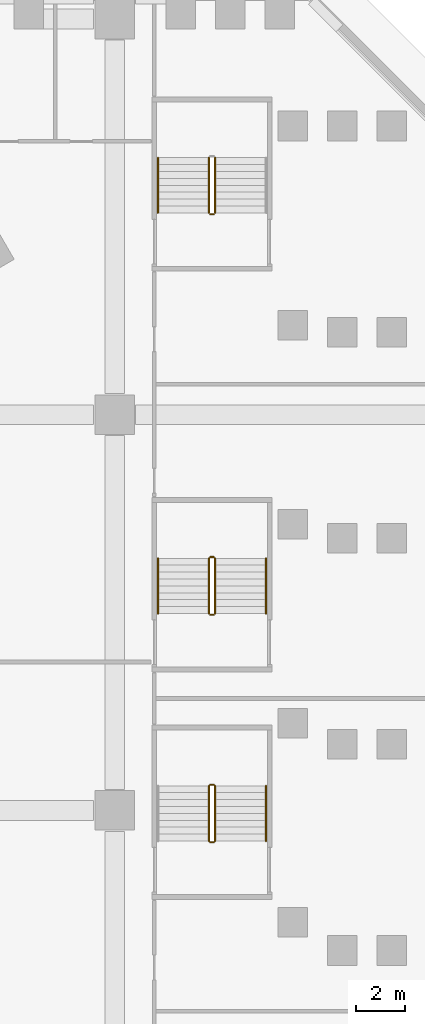
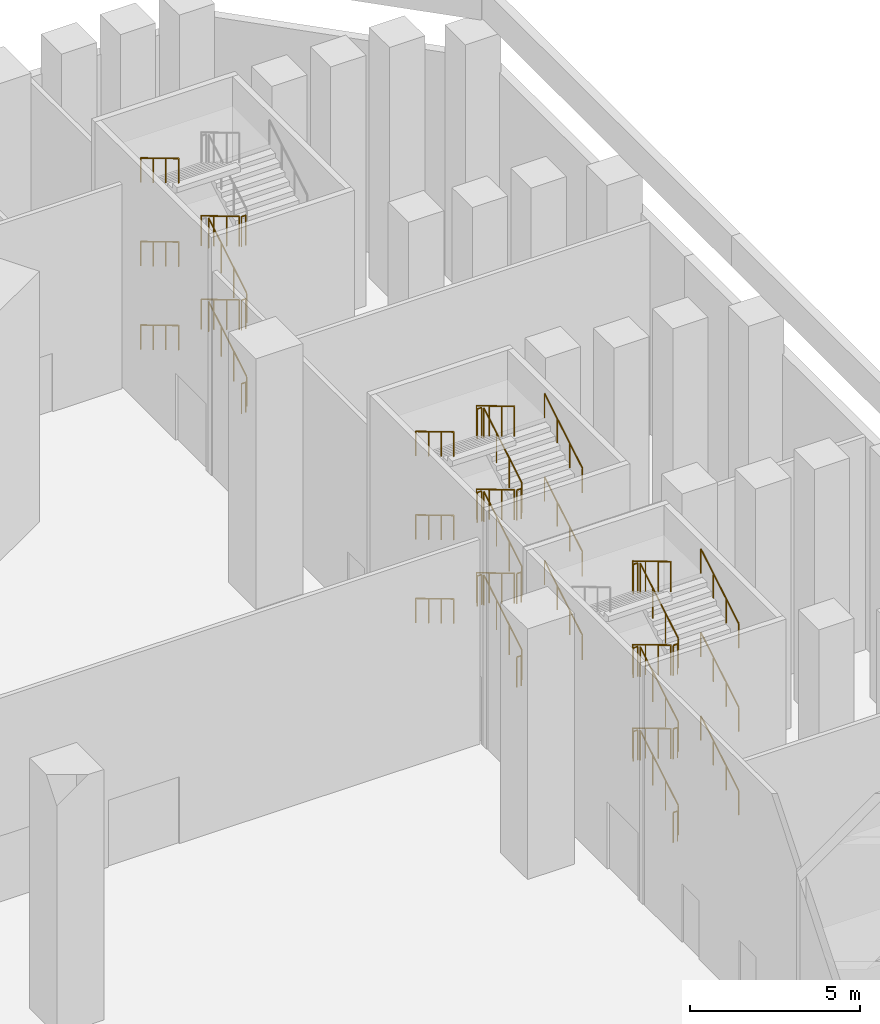
# One storey, part 22 of 25: 43 railings.
"""IFC4 building model written with IfcOpenShell, lengths in metres."""

from ifc_helpers import new_model, si_unit, direction, frame, origin, origin_2d, place, context, subcontext, project, spatial, circle, extrude, material, type_object, element, save


model = new_model("IFC4")

# Units and contexts
model_context = context("Model", 3, precision=1e-05, world=origin(), true_north=direction((0.0, 1.0)))
body_context = subcontext(model_context, "Body", "Model", "MODEL_VIEW")
ifc_project = project(units=[si_unit("LENGTHUNIT", "METRE"), si_unit("AREAUNIT", "SQUARE_METRE"), si_unit("VOLUMEUNIT", "CUBIC_METRE"), si_unit("PLANEANGLEUNIT", "RADIAN"), si_unit("MASSUNIT", "GRAM", prefix="KILO")], contexts=[model_context])

# Site, building, storey
site_placement = place(None, origin())
site = spatial("IfcSite", under=ifc_project, at=site_placement, CompositionType="ELEMENT")
building_placement = place(site_placement, origin())
building = spatial("IfcBuilding", under=site, at=building_placement, Name="Calabash Gate Tower", CompositionType="ELEMENT")
storey_placement = place(building_placement, frame((0.0, 0.0, 20.0)))
storey = spatial("IfcBuildingStorey", under=building, at=storey_placement, Name="L02", CompositionType="ELEMENT", Elevation=20.0)

# Railings
ifc_material_1 = material(Name="Black powder-coated steel balusters", Category="steel")
railing_type_1 = type_object("IfcRailingType", Name="Stair guard RL1100", PredefinedType="GUARDRAIL", material=ifc_material_1)
railing_1_placement = place(storey_placement, frame((36.06005859375, -9.239990234375, 0.166748046875)))
element("IfcRailing", 1, at=railing_1_placement, inside=storey, type_object=railing_type_1, Name="L02 PS8 stair guard 1", PredefinedType="GUARDRAIL", context=body_context, shape_type="SweptSolid", body=[
    extrude(circle(Radius=0.02392578125, at=origin_2d()), frame((0.0, 0.0, 1.076171875), z_axis=(0.0, 0.858493888361, 0.512823793955), x_axis=(-1.0, 0.0, 0.0)), (0.0, 0.0, 1.0), 2.599853515625),
    extrude(circle(Radius=0.02099609375, at=origin_2d()), origin(), (0.0, 0.0, 1.0), 1.052001953125),
    extrude(circle(Radius=0.02099609375, at=origin_2d()), frame((0.0, 0.743896484375, 0.4443359375)), (0.0, 0.0, 1.0), 1.052001953125),
    extrude(circle(Radius=0.02099609375, at=origin_2d()), frame((0.0, 1.488037109375, 0.888916015625)), (0.0, 0.0, 1.0), 1.052001953125),
    extrude(circle(Radius=0.02099609375, at=origin_2d()), frame((0.0, 2.23193359375, 1.333251953125)), (0.0, 0.0, 1.0), 1.052001953125),
])
railing_2_placement = place(storey_placement, frame((36.010009765625, -6.9580078125, 1.5)))
element("IfcRailing", 2, at=railing_2_placement, inside=storey, type_object=railing_type_1, Name="L02 PS8 stair guard 2", PredefinedType="GUARDRAIL", context=body_context, shape_type="SweptSolid", body=[
    extrude(circle(Radius=0.02392578125, at=origin_2d()), frame((0.0, 0.0, 1.076171875), z_axis=(-1.0, 0.0, 0.0), x_axis=(0.0, -1.0, 0.0)), (0.0, 0.0, 1.0), 0.14990234375),
    extrude(circle(Radius=0.02099609375, at=origin_2d()), origin(), (0.0, 0.0, 1.0), 1.052001953125),
    extrude(circle(Radius=0.02099609375, at=origin_2d()), frame((-0.14990234375, 0.0, 0.0)), (0.0, 0.0, 1.0), 1.052001953125),
])
railing_3_placement = place(storey_placement, frame((35.81005859375, -7.008056640625, 1.666748046875)))
element("IfcRailing", 3, at=railing_3_placement, inside=storey, type_object=railing_type_1, Name="L02 PS8 stair guard 3", PredefinedType="GUARDRAIL", context=body_context, shape_type="SweptSolid", body=[
    extrude(circle(Radius=0.02392578125, at=origin_2d()), frame((0.0, 0.0, 1.076171875), z_axis=(0.0, -0.858493888361, 0.512823793955), x_axis=(1.0, 0.0, 0.0)), (0.0, 0.0, 1.0), 2.599853515625),
    extrude(circle(Radius=0.02099609375, at=origin_2d()), origin(), (0.0, 0.0, 1.0), 1.052001953125),
    extrude(circle(Radius=0.02099609375, at=origin_2d()), frame((0.0, -0.743896484375, 0.4443359375)), (0.0, 0.0, 1.0), 1.052001953125),
    extrude(circle(Radius=0.02099609375, at=origin_2d()), frame((0.0, -1.488037109375, 0.888916015625)), (0.0, 0.0, 1.0), 1.052001953125),
    extrude(circle(Radius=0.02099609375, at=origin_2d()), frame((0.0, -2.23193359375, 1.333251953125)), (0.0, 0.0, 1.0), 1.052001953125),
])
railing_4_placement = place(storey_placement, frame((36.010009765625, -9.2900390625, 3.0)))
element("IfcRailing", 4, at=railing_4_placement, inside=storey, type_object=railing_type_1, Name="L02 PS8 stair guard 4", PredefinedType="GUARDRAIL", context=body_context, shape_type="SweptSolid", body=[
    extrude(circle(Radius=0.02392578125, at=origin_2d()), frame((0.0, 0.0, 1.076171875), z_axis=(-1.0, 0.0, 0.0), x_axis=(0.0, -1.0, 0.0)), (0.0, 0.0, 1.0), 0.14990234375),
    extrude(circle(Radius=0.02099609375, at=origin_2d()), origin(), (0.0, 0.0, 1.0), 1.052001953125),
    extrude(circle(Radius=0.02099609375, at=origin_2d()), frame((-0.14990234375, 0.0, 0.0)), (0.0, 0.0, 1.0), 1.052001953125),
])
railing_5_placement = place(storey_placement, frame((36.06005859375, -9.239990234375, 3.166748046875)))
element("IfcRailing", 5, at=railing_5_placement, inside=storey, type_object=railing_type_1, Name="L02 PS8 stair guard 5", PredefinedType="GUARDRAIL", context=body_context, shape_type="SweptSolid", body=[
    extrude(circle(Radius=0.02392578125, at=origin_2d()), frame((0.0, 0.0, 1.076171875), z_axis=(0.0, 0.858493888361, 0.512823793955), x_axis=(-1.0, 0.0, 0.0)), (0.0, 0.0, 1.0), 2.599853515625),
    extrude(circle(Radius=0.02099609375, at=origin_2d()), origin(), (0.0, 0.0, 1.0), 1.052001953125),
    extrude(circle(Radius=0.02099609375, at=origin_2d()), frame((0.0, 0.743896484375, 0.4443359375)), (0.0, 0.0, 1.0), 1.052001953125),
    extrude(circle(Radius=0.02099609375, at=origin_2d()), frame((0.0, 1.488037109375, 0.888916015625)), (0.0, 0.0, 1.0), 1.052001953125),
    extrude(circle(Radius=0.02099609375, at=origin_2d()), frame((0.0, 2.23193359375, 1.333251953125)), (0.0, 0.0, 1.0), 1.052001953125),
])
railing_6_placement = place(storey_placement, frame((36.010009765625, -6.9580078125, 4.5)))
element("IfcRailing", 6, at=railing_6_placement, inside=storey, type_object=railing_type_1, Name="L02 PS8 stair guard 6", PredefinedType="GUARDRAIL", context=body_context, shape_type="SweptSolid", body=[
    extrude(circle(Radius=0.02392578125, at=origin_2d()), frame((0.0, 0.0, 1.076171875), z_axis=(-1.0, 0.0, 0.0), x_axis=(0.0, -1.0, 0.0)), (0.0, 0.0, 1.0), 0.14990234375),
    extrude(circle(Radius=0.02099609375, at=origin_2d()), origin(), (0.0, 0.0, 1.0), 1.052001953125),
    extrude(circle(Radius=0.02099609375, at=origin_2d()), frame((-0.14990234375, 0.0, 0.0)), (0.0, 0.0, 1.0), 1.052001953125),
])
railing_7_placement = place(storey_placement, frame((35.81005859375, -7.008056640625, 4.666748046875)))
element("IfcRailing", 7, at=railing_7_placement, inside=storey, type_object=railing_type_1, Name="L02 PS8 stair guard 7", PredefinedType="GUARDRAIL", context=body_context, shape_type="SweptSolid", body=[
    extrude(circle(Radius=0.02392578125, at=origin_2d()), frame((0.0, 0.0, 1.076171875), z_axis=(0.0, -0.858493888361, 0.512823793955), x_axis=(1.0, 0.0, 0.0)), (0.0, 0.0, 1.0), 2.599853515625),
    extrude(circle(Radius=0.02099609375, at=origin_2d()), origin(), (0.0, 0.0, 1.0), 1.052001953125),
    extrude(circle(Radius=0.02099609375, at=origin_2d()), frame((0.0, -0.743896484375, 0.4443359375)), (0.0, 0.0, 1.0), 1.052001953125),
    extrude(circle(Radius=0.02099609375, at=origin_2d()), frame((0.0, -1.488037109375, 0.888916015625)), (0.0, 0.0, 1.0), 1.052001953125),
    extrude(circle(Radius=0.02099609375, at=origin_2d()), frame((0.0, -2.23193359375, 1.333251953125)), (0.0, 0.0, 1.0), 1.052001953125),
])
railing_8_placement = place(storey_placement, frame((36.010009765625, -9.2900390625, 6.0)))
element("IfcRailing", 8, at=railing_8_placement, inside=storey, type_object=railing_type_1, Name="L02 PS8 stair guard 8", PredefinedType="GUARDRAIL", context=body_context, shape_type="SweptSolid", body=[
    extrude(circle(Radius=0.02392578125, at=origin_2d()), frame((0.0, 0.0, 1.076171875), z_axis=(-1.0, 0.0, 0.0), x_axis=(0.0, -1.0, 0.0)), (0.0, 0.0, 1.0), 0.14990234375),
    extrude(circle(Radius=0.02099609375, at=origin_2d()), origin(), (0.0, 0.0, 1.0), 1.052001953125),
    extrude(circle(Radius=0.02099609375, at=origin_2d()), frame((-0.14990234375, 0.0, 0.0)), (0.0, 0.0, 1.0), 1.052001953125),
])
railing_9_placement = place(storey_placement, frame((36.06005859375, -9.239990234375, 6.166748046875)))
element("IfcRailing", 9, at=railing_9_placement, inside=storey, type_object=railing_type_1, Name="L02 PS8 stair guard 9", PredefinedType="GUARDRAIL", context=body_context, shape_type="SweptSolid", body=[
    extrude(circle(Radius=0.02392578125, at=origin_2d()), frame((0.0, 0.0, 1.076171875), z_axis=(0.0, 0.858493888361, 0.512823793955), x_axis=(-1.0, 0.0, 0.0)), (0.0, 0.0, 1.0), 2.599853515625),
    extrude(circle(Radius=0.02099609375, at=origin_2d()), origin(), (0.0, 0.0, 1.0), 1.052001953125),
    extrude(circle(Radius=0.02099609375, at=origin_2d()), frame((0.0, 0.743896484375, 0.4443359375)), (0.0, 0.0, 1.0), 1.052001953125),
    extrude(circle(Radius=0.02099609375, at=origin_2d()), frame((0.0, 1.488037109375, 0.888916015625)), (0.0, 0.0, 1.0), 1.052001953125),
    extrude(circle(Radius=0.02099609375, at=origin_2d()), frame((0.0, 2.23193359375, 1.333251953125)), (0.0, 0.0, 1.0), 1.052001953125),
])
railing_10_placement = place(storey_placement, frame((36.010009765625, -6.9580078125, 7.5)))
element("IfcRailing", 10, at=railing_10_placement, inside=storey, type_object=railing_type_1, Name="L02 PS8 stair guard 10", PredefinedType="GUARDRAIL", context=body_context, shape_type="SweptSolid", body=[
    extrude(circle(Radius=0.02392578125, at=origin_2d()), frame((0.0, 0.0, 1.076171875), z_axis=(-1.0, 0.0, 0.0), x_axis=(0.0, -1.0, 0.0)), (0.0, 0.0, 1.0), 0.14990234375),
    extrude(circle(Radius=0.02099609375, at=origin_2d()), origin(), (0.0, 0.0, 1.0), 1.052001953125),
    extrude(circle(Radius=0.02099609375, at=origin_2d()), frame((-0.14990234375, 0.0, 0.0)), (0.0, 0.0, 1.0), 1.052001953125),
])
railing_11_placement = place(storey_placement, frame((35.81005859375, -7.008056640625, 7.666748046875)))
element("IfcRailing", 11, at=railing_11_placement, inside=storey, type_object=railing_type_1, Name="L02 PS8 stair guard 11", PredefinedType="GUARDRAIL", context=body_context, shape_type="SweptSolid", body=[
    extrude(circle(Radius=0.02392578125, at=origin_2d()), frame((0.0, 0.0, 1.076171875), z_axis=(0.0, -0.858493888361, 0.512823793955), x_axis=(1.0, 0.0, 0.0)), (0.0, 0.0, 1.0), 2.599853515625),
    extrude(circle(Radius=0.02099609375, at=origin_2d()), origin(), (0.0, 0.0, 1.0), 1.052001953125),
    extrude(circle(Radius=0.02099609375, at=origin_2d()), frame((0.0, -0.743896484375, 0.4443359375)), (0.0, 0.0, 1.0), 1.052001953125),
    extrude(circle(Radius=0.02099609375, at=origin_2d()), frame((0.0, -1.488037109375, 0.888916015625)), (0.0, 0.0, 1.0), 1.052001953125),
    extrude(circle(Radius=0.02099609375, at=origin_2d()), frame((0.0, -2.23193359375, 1.333251953125)), (0.0, 0.0, 1.0), 1.052001953125),
])
railing_12_placement = place(storey_placement, frame((36.010009765625, -9.2900390625, 0.0)))
element("IfcRailing", 12, at=railing_12_placement, inside=storey, type_object=railing_type_1, Name="L02 PS8 stair guard 12", PredefinedType="GUARDRAIL", context=body_context, shape_type="SweptSolid", body=[
    extrude(circle(Radius=0.02392578125, at=origin_2d()), frame((0.0, 0.0, 1.076171875), z_axis=(-1.0, 0.0, 0.0), x_axis=(0.0, -1.0, 0.0)), (0.0, 0.0, 1.0), 0.14990234375),
    extrude(circle(Radius=0.02099609375, at=origin_2d()), origin(), (0.0, 0.0, 1.0), 1.052001953125),
    extrude(circle(Radius=0.02099609375, at=origin_2d()), frame((-0.14990234375, 0.0, 0.0)), (0.0, 0.0, 1.0), 1.052001953125),
])
railing_13_placement = place(storey_placement, frame((36.06005859375, -0.0400390625, 0.166748046875)))
element("IfcRailing", 13, at=railing_13_placement, inside=storey, type_object=railing_type_1, Name="L02 PS9 stair guard 1", PredefinedType="GUARDRAIL", context=body_context, shape_type="SweptSolid", body=[
    extrude(circle(Radius=0.02392578125, at=origin_2d()), frame((0.0, 0.0, 1.076171875), z_axis=(0.0, 0.858493888361, 0.512823793955), x_axis=(-1.0, 0.0, 0.0)), (0.0, 0.0, 1.0), 2.599853515625),
    extrude(circle(Radius=0.02099609375, at=origin_2d()), origin(), (0.0, 0.0, 1.0), 1.052001953125),
    extrude(circle(Radius=0.02099609375, at=origin_2d()), frame((0.0, 0.743896484375, 0.4443359375)), (0.0, 0.0, 1.0), 1.052001953125),
    extrude(circle(Radius=0.02099609375, at=origin_2d()), frame((0.0, 1.488037109375, 0.888916015625)), (0.0, 0.0, 1.0), 1.052001953125),
    extrude(circle(Radius=0.02099609375, at=origin_2d()), frame((0.0, 2.23193359375, 1.333251953125)), (0.0, 0.0, 1.0), 1.052001953125),
])
railing_14_placement = place(storey_placement, frame((36.010009765625, 2.241943359375, 1.5)))
element("IfcRailing", 14, at=railing_14_placement, inside=storey, type_object=railing_type_1, Name="L02 PS9 stair guard 2", PredefinedType="GUARDRAIL", context=body_context, shape_type="SweptSolid", body=[
    extrude(circle(Radius=0.02392578125, at=origin_2d()), frame((0.0, 0.0, 1.076171875), z_axis=(-1.0, 0.0, 0.0), x_axis=(0.0, -1.0, 0.0)), (0.0, 0.0, 1.0), 0.14990234375),
    extrude(circle(Radius=0.02099609375, at=origin_2d()), origin(), (0.0, 0.0, 1.0), 1.052001953125),
    extrude(circle(Radius=0.02099609375, at=origin_2d()), frame((-0.14990234375, 0.0, 0.0)), (0.0, 0.0, 1.0), 1.052001953125),
])
railing_15_placement = place(storey_placement, frame((35.81005859375, 2.19189453125, 1.666748046875)))
element("IfcRailing", 15, at=railing_15_placement, inside=storey, type_object=railing_type_1, Name="L02 PS9 stair guard 3", PredefinedType="GUARDRAIL", context=body_context, shape_type="SweptSolid", body=[
    extrude(circle(Radius=0.02392578125, at=origin_2d()), frame((0.0, 0.0, 1.076171875), z_axis=(0.0, -0.858493888361, 0.512823793955), x_axis=(1.0, 0.0, 0.0)), (0.0, 0.0, 1.0), 2.599853515625),
    extrude(circle(Radius=0.02099609375, at=origin_2d()), origin(), (0.0, 0.0, 1.0), 1.052001953125),
    extrude(circle(Radius=0.02099609375, at=origin_2d()), frame((0.0, -0.743896484375, 0.4443359375)), (0.0, 0.0, 1.0), 1.052001953125),
    extrude(circle(Radius=0.02099609375, at=origin_2d()), frame((0.0, -1.488037109375, 0.888916015625)), (0.0, 0.0, 1.0), 1.052001953125),
    extrude(circle(Radius=0.02099609375, at=origin_2d()), frame((0.0, -2.23193359375, 1.333251953125)), (0.0, 0.0, 1.0), 1.052001953125),
])
railing_16_placement = place(storey_placement, frame((36.010009765625, -0.090087890625, 3.0)))
element("IfcRailing", 16, at=railing_16_placement, inside=storey, type_object=railing_type_1, Name="L02 PS9 stair guard 4", PredefinedType="GUARDRAIL", context=body_context, shape_type="SweptSolid", body=[
    extrude(circle(Radius=0.02392578125, at=origin_2d()), frame((0.0, 0.0, 1.076171875), z_axis=(-1.0, 0.0, 0.0), x_axis=(0.0, -1.0, 0.0)), (0.0, 0.0, 1.0), 0.14990234375),
    extrude(circle(Radius=0.02099609375, at=origin_2d()), origin(), (0.0, 0.0, 1.0), 1.052001953125),
    extrude(circle(Radius=0.02099609375, at=origin_2d()), frame((-0.14990234375, 0.0, 0.0)), (0.0, 0.0, 1.0), 1.052001953125),
])
railing_17_placement = place(storey_placement, frame((36.06005859375, -0.0400390625, 3.166748046875)))
element("IfcRailing", 17, at=railing_17_placement, inside=storey, type_object=railing_type_1, Name="L02 PS9 stair guard 5", PredefinedType="GUARDRAIL", context=body_context, shape_type="SweptSolid", body=[
    extrude(circle(Radius=0.02392578125, at=origin_2d()), frame((0.0, 0.0, 1.076171875), z_axis=(0.0, 0.858493888361, 0.512823793955), x_axis=(-1.0, 0.0, 0.0)), (0.0, 0.0, 1.0), 2.599853515625),
    extrude(circle(Radius=0.02099609375, at=origin_2d()), origin(), (0.0, 0.0, 1.0), 1.052001953125),
    extrude(circle(Radius=0.02099609375, at=origin_2d()), frame((0.0, 0.743896484375, 0.4443359375)), (0.0, 0.0, 1.0), 1.052001953125),
    extrude(circle(Radius=0.02099609375, at=origin_2d()), frame((0.0, 1.488037109375, 0.888916015625)), (0.0, 0.0, 1.0), 1.052001953125),
    extrude(circle(Radius=0.02099609375, at=origin_2d()), frame((0.0, 2.23193359375, 1.333251953125)), (0.0, 0.0, 1.0), 1.052001953125),
])
railing_18_placement = place(storey_placement, frame((36.010009765625, 2.241943359375, 4.5)))
element("IfcRailing", 18, at=railing_18_placement, inside=storey, type_object=railing_type_1, Name="L02 PS9 stair guard 6", PredefinedType="GUARDRAIL", context=body_context, shape_type="SweptSolid", body=[
    extrude(circle(Radius=0.02392578125, at=origin_2d()), frame((0.0, 0.0, 1.076171875), z_axis=(-1.0, 0.0, 0.0), x_axis=(0.0, -1.0, 0.0)), (0.0, 0.0, 1.0), 0.14990234375),
    extrude(circle(Radius=0.02099609375, at=origin_2d()), origin(), (0.0, 0.0, 1.0), 1.052001953125),
    extrude(circle(Radius=0.02099609375, at=origin_2d()), frame((-0.14990234375, 0.0, 0.0)), (0.0, 0.0, 1.0), 1.052001953125),
])
railing_19_placement = place(storey_placement, frame((35.81005859375, 2.19189453125, 4.666748046875)))
element("IfcRailing", 19, at=railing_19_placement, inside=storey, type_object=railing_type_1, Name="L02 PS9 stair guard 7", PredefinedType="GUARDRAIL", context=body_context, shape_type="SweptSolid", body=[
    extrude(circle(Radius=0.02392578125, at=origin_2d()), frame((0.0, 0.0, 1.076171875), z_axis=(0.0, -0.858493888361, 0.512823793955), x_axis=(1.0, 0.0, 0.0)), (0.0, 0.0, 1.0), 2.599853515625),
    extrude(circle(Radius=0.02099609375, at=origin_2d()), origin(), (0.0, 0.0, 1.0), 1.052001953125),
    extrude(circle(Radius=0.02099609375, at=origin_2d()), frame((0.0, -0.743896484375, 0.4443359375)), (0.0, 0.0, 1.0), 1.052001953125),
    extrude(circle(Radius=0.02099609375, at=origin_2d()), frame((0.0, -1.488037109375, 0.888916015625)), (0.0, 0.0, 1.0), 1.052001953125),
    extrude(circle(Radius=0.02099609375, at=origin_2d()), frame((0.0, -2.23193359375, 1.333251953125)), (0.0, 0.0, 1.0), 1.052001953125),
])
railing_20_placement = place(storey_placement, frame((36.010009765625, -0.090087890625, 6.0)))
element("IfcRailing", 20, at=railing_20_placement, inside=storey, type_object=railing_type_1, Name="L02 PS9 stair guard 8", PredefinedType="GUARDRAIL", context=body_context, shape_type="SweptSolid", body=[
    extrude(circle(Radius=0.02392578125, at=origin_2d()), frame((0.0, 0.0, 1.076171875), z_axis=(-1.0, 0.0, 0.0), x_axis=(0.0, -1.0, 0.0)), (0.0, 0.0, 1.0), 0.14990234375),
    extrude(circle(Radius=0.02099609375, at=origin_2d()), origin(), (0.0, 0.0, 1.0), 1.052001953125),
    extrude(circle(Radius=0.02099609375, at=origin_2d()), frame((-0.14990234375, 0.0, 0.0)), (0.0, 0.0, 1.0), 1.052001953125),
])
railing_21_placement = place(storey_placement, frame((36.06005859375, -0.0400390625, 6.166748046875)))
element("IfcRailing", 21, at=railing_21_placement, inside=storey, type_object=railing_type_1, Name="L02 PS9 stair guard 9", PredefinedType="GUARDRAIL", context=body_context, shape_type="SweptSolid", body=[
    extrude(circle(Radius=0.02392578125, at=origin_2d()), frame((0.0, 0.0, 1.076171875), z_axis=(0.0, 0.858493888361, 0.512823793955), x_axis=(-1.0, 0.0, 0.0)), (0.0, 0.0, 1.0), 2.599853515625),
    extrude(circle(Radius=0.02099609375, at=origin_2d()), origin(), (0.0, 0.0, 1.0), 1.052001953125),
    extrude(circle(Radius=0.02099609375, at=origin_2d()), frame((0.0, 0.743896484375, 0.4443359375)), (0.0, 0.0, 1.0), 1.052001953125),
    extrude(circle(Radius=0.02099609375, at=origin_2d()), frame((0.0, 1.488037109375, 0.888916015625)), (0.0, 0.0, 1.0), 1.052001953125),
    extrude(circle(Radius=0.02099609375, at=origin_2d()), frame((0.0, 2.23193359375, 1.333251953125)), (0.0, 0.0, 1.0), 1.052001953125),
])
railing_22_placement = place(storey_placement, frame((36.010009765625, 2.241943359375, 7.5)))
element("IfcRailing", 22, at=railing_22_placement, inside=storey, type_object=railing_type_1, Name="L02 PS9 stair guard 10", PredefinedType="GUARDRAIL", context=body_context, shape_type="SweptSolid", body=[
    extrude(circle(Radius=0.02392578125, at=origin_2d()), frame((0.0, 0.0, 1.076171875), z_axis=(-1.0, 0.0, 0.0), x_axis=(0.0, -1.0, 0.0)), (0.0, 0.0, 1.0), 0.14990234375),
    extrude(circle(Radius=0.02099609375, at=origin_2d()), origin(), (0.0, 0.0, 1.0), 1.052001953125),
    extrude(circle(Radius=0.02099609375, at=origin_2d()), frame((-0.14990234375, 0.0, 0.0)), (0.0, 0.0, 1.0), 1.052001953125),
])
railing_23_placement = place(storey_placement, frame((35.81005859375, 2.19189453125, 7.666748046875)))
element("IfcRailing", 23, at=railing_23_placement, inside=storey, type_object=railing_type_1, Name="L02 PS9 stair guard 11", PredefinedType="GUARDRAIL", context=body_context, shape_type="SweptSolid", body=[
    extrude(circle(Radius=0.02392578125, at=origin_2d()), frame((0.0, 0.0, 1.076171875), z_axis=(0.0, -0.858493888361, 0.512823793955), x_axis=(1.0, 0.0, 0.0)), (0.0, 0.0, 1.0), 2.599853515625),
    extrude(circle(Radius=0.02099609375, at=origin_2d()), origin(), (0.0, 0.0, 1.0), 1.052001953125),
    extrude(circle(Radius=0.02099609375, at=origin_2d()), frame((0.0, -0.743896484375, 0.4443359375)), (0.0, 0.0, 1.0), 1.052001953125),
    extrude(circle(Radius=0.02099609375, at=origin_2d()), frame((0.0, -1.488037109375, 0.888916015625)), (0.0, 0.0, 1.0), 1.052001953125),
    extrude(circle(Radius=0.02099609375, at=origin_2d()), frame((0.0, -2.23193359375, 1.333251953125)), (0.0, 0.0, 1.0), 1.052001953125),
])
railing_24_placement = place(storey_placement, frame((36.010009765625, -0.090087890625, 0.0)))
element("IfcRailing", 24, at=railing_24_placement, inside=storey, type_object=railing_type_1, Name="L02 PS9 stair guard 12", PredefinedType="GUARDRAIL", context=body_context, shape_type="SweptSolid", body=[
    extrude(circle(Radius=0.02392578125, at=origin_2d()), frame((0.0, 0.0, 1.076171875), z_axis=(-1.0, 0.0, 0.0), x_axis=(0.0, -1.0, 0.0)), (0.0, 0.0, 1.0), 0.14990234375),
    extrude(circle(Radius=0.02099609375, at=origin_2d()), origin(), (0.0, 0.0, 1.0), 1.052001953125),
    extrude(circle(Radius=0.02099609375, at=origin_2d()), frame((-0.14990234375, 0.0, 0.0)), (0.0, 0.0, 1.0), 1.052001953125),
])
railing_25_placement = place(storey_placement, frame((36.06005859375, 16.159912109375, 0.166748046875)))
element("IfcRailing", 25, at=railing_25_placement, inside=storey, type_object=railing_type_1, Name="L02 PS10 stair guard 1", PredefinedType="GUARDRAIL", context=body_context, shape_type="SweptSolid", body=[
    extrude(circle(Radius=0.02392578125, at=origin_2d()), frame((0.0, 0.0, 1.076171875), z_axis=(0.0, 0.8585185817, 0.512782453753), x_axis=(-1.0, 0.0, 0.0)), (0.0, 0.0, 1.0), 2.60009765625),
    extrude(circle(Radius=0.02099609375, at=origin_2d()), origin(), (0.0, 0.0, 1.0), 1.052001953125),
    extrude(circle(Radius=0.02099609375, at=origin_2d()), frame((0.0, 0.744140625, 0.4443359375)), (0.0, 0.0, 1.0), 1.052001953125),
    extrude(circle(Radius=0.02099609375, at=origin_2d()), frame((0.0, 1.488037109375, 0.888916015625)), (0.0, 0.0, 1.0), 1.052001953125),
    extrude(circle(Radius=0.02099609375, at=origin_2d()), frame((0.0, 2.232177734375, 1.333251953125)), (0.0, 0.0, 1.0), 1.052001953125),
])
railing_26_placement = place(storey_placement, frame((35.81005859375, 18.39208984375, 1.666748046875)))
element("IfcRailing", 26, at=railing_26_placement, inside=storey, type_object=railing_type_1, Name="L02 PS10 stair guard 3", PredefinedType="GUARDRAIL", context=body_context, shape_type="SweptSolid", body=[
    extrude(circle(Radius=0.02392578125, at=origin_2d()), frame((0.0, 0.0, 1.076171875), z_axis=(0.0, -0.8585185817, 0.512782453753), x_axis=(1.0, 0.0, 0.0)), (0.0, 0.0, 1.0), 2.60009765625),
    extrude(circle(Radius=0.02099609375, at=origin_2d()), origin(), (0.0, 0.0, 1.0), 1.052001953125),
    extrude(circle(Radius=0.02099609375, at=origin_2d()), frame((0.0, -0.744140625, 0.4443359375)), (0.0, 0.0, 1.0), 1.052001953125),
    extrude(circle(Radius=0.02099609375, at=origin_2d()), frame((0.0, -1.488037109375, 0.888916015625)), (0.0, 0.0, 1.0), 1.052001953125),
    extrude(circle(Radius=0.02099609375, at=origin_2d()), frame((0.0, -2.232177734375, 1.333251953125)), (0.0, 0.0, 1.0), 1.052001953125),
])
railing_27_placement = place(storey_placement, frame((36.010009765625, 16.110107421875, 3.0)))
element("IfcRailing", 27, at=railing_27_placement, inside=storey, type_object=railing_type_1, Name="L02 PS10 stair guard 4", PredefinedType="GUARDRAIL", context=body_context, shape_type="SweptSolid", body=[
    extrude(circle(Radius=0.02392578125, at=origin_2d()), frame((0.0, 0.0, 1.076171875), z_axis=(-1.0, 0.0, 0.0), x_axis=(0.0, -1.0, 0.0)), (0.0, 0.0, 1.0), 0.14990234375),
    extrude(circle(Radius=0.02099609375, at=origin_2d()), origin(), (0.0, 0.0, 1.0), 1.052001953125),
    extrude(circle(Radius=0.02099609375, at=origin_2d()), frame((-0.14990234375, 0.0, 0.0)), (0.0, 0.0, 1.0), 1.052001953125),
])
railing_28_placement = place(storey_placement, frame((36.06005859375, 16.159912109375, 3.166748046875)))
element("IfcRailing", 28, at=railing_28_placement, inside=storey, type_object=railing_type_1, Name="L02 PS10 stair guard 5", PredefinedType="GUARDRAIL", context=body_context, shape_type="SweptSolid", body=[
    extrude(circle(Radius=0.02392578125, at=origin_2d()), frame((0.0, 0.0, 1.076171875), z_axis=(0.0, 0.8585185817, 0.512782453753), x_axis=(-1.0, 0.0, 0.0)), (0.0, 0.0, 1.0), 2.60009765625),
    extrude(circle(Radius=0.02099609375, at=origin_2d()), origin(), (0.0, 0.0, 1.0), 1.052001953125),
    extrude(circle(Radius=0.02099609375, at=origin_2d()), frame((0.0, 0.744140625, 0.4443359375)), (0.0, 0.0, 1.0), 1.052001953125),
    extrude(circle(Radius=0.02099609375, at=origin_2d()), frame((0.0, 1.488037109375, 0.888916015625)), (0.0, 0.0, 1.0), 1.052001953125),
    extrude(circle(Radius=0.02099609375, at=origin_2d()), frame((0.0, 2.232177734375, 1.333251953125)), (0.0, 0.0, 1.0), 1.052001953125),
])
railing_29_placement = place(storey_placement, frame((35.81005859375, 18.39208984375, 4.666748046875)))
element("IfcRailing", 29, at=railing_29_placement, inside=storey, type_object=railing_type_1, Name="L02 PS10 stair guard 7", PredefinedType="GUARDRAIL", context=body_context, shape_type="SweptSolid", body=[
    extrude(circle(Radius=0.02392578125, at=origin_2d()), frame((0.0, 0.0, 1.076171875), z_axis=(0.0, -0.8585185817, 0.512782453753), x_axis=(1.0, 0.0, 0.0)), (0.0, 0.0, 1.0), 2.60009765625),
    extrude(circle(Radius=0.02099609375, at=origin_2d()), origin(), (0.0, 0.0, 1.0), 1.052001953125),
    extrude(circle(Radius=0.02099609375, at=origin_2d()), frame((0.0, -0.744140625, 0.4443359375)), (0.0, 0.0, 1.0), 1.052001953125),
    extrude(circle(Radius=0.02099609375, at=origin_2d()), frame((0.0, -1.488037109375, 0.888916015625)), (0.0, 0.0, 1.0), 1.052001953125),
    extrude(circle(Radius=0.02099609375, at=origin_2d()), frame((0.0, -2.232177734375, 1.333251953125)), (0.0, 0.0, 1.0), 1.052001953125),
])
for number, where, name in (
    (30, (36.010009765625, 16.110107421875, 6.0), "L02 PS10 stair guard 8"),
    (31, (36.010009765625, 16.110107421875, 0.0), "L02 PS10 stair guard 12"),
):
    element("IfcRailing", number, at=place(storey_placement, frame(where)), inside=storey, type_object=railing_type_1, Name=name, PredefinedType="GUARDRAIL", context=body_context, shape_type="SweptSolid", body=[
        extrude(circle(Radius=0.02392578125, at=origin_2d()), frame((0.0, 0.0, 1.076171875), z_axis=(-1.0, 0.0, 0.0), x_axis=(0.0, -1.0, 0.0)), (0.0, 0.0, 1.0), 0.14990234375),
        extrude(circle(Radius=0.02099609375, at=origin_2d()), origin(), (0.0, 0.0, 1.0), 1.052001953125),
        extrude(circle(Radius=0.02099609375, at=origin_2d()), frame((-0.14990234375, 0.0, 0.0)), (0.0, 0.0, 1.0), 1.052001953125),
    ])
ifc_material_2 = material(Name="Black powder-coated steel tube 48 mm", Category="steel")
railing_type_2 = type_object("IfcRailingType", Name="Stair handrail RL900", PredefinedType="HANDRAIL", material=ifc_material_2)
for number, where, name in (
    (32, (38.1201171875, -9.239990234375, 0.166748046875), "L02 PS8 stair handrail 1"),
    (33, (38.1201171875, -9.239990234375, 3.166748046875), "L02 PS8 stair handrail 3"),
    (34, (38.1201171875, -9.239990234375, 6.166748046875), "L02 PS8 stair handrail 5"),
    (35, (38.1201171875, -0.0400390625, 0.166748046875), "L02 PS9 stair handrail 1"),
):
    element("IfcRailing", number, at=place(storey_placement, frame(where)), inside=storey, type_object=railing_type_2, Name=name, PredefinedType="HANDRAIL", context=body_context, shape_type="SweptSolid", body=[
        extrude(circle(Radius=0.02392578125, at=origin_2d()), frame((0.0, 0.0, 0.8759765625), z_axis=(0.0, 0.858493888361, 0.512823793955), x_axis=(-1.0, 0.0, 0.0)), (0.0, 0.0, 1.0), 2.599853515625),
        extrude(circle(Radius=0.02099609375, at=origin_2d()), origin(), (0.0, 0.0, 1.0), 0.851806640625),
        extrude(circle(Radius=0.02099609375, at=origin_2d()), frame((0.0, 0.743896484375, 0.4443359375)), (0.0, 0.0, 1.0), 0.851806640625),
        extrude(circle(Radius=0.02099609375, at=origin_2d()), frame((0.0, 1.488037109375, 0.888916015625)), (0.0, 0.0, 1.0), 0.851806640625),
        extrude(circle(Radius=0.02099609375, at=origin_2d()), frame((0.0, 2.23193359375, 1.333251953125)), (0.0, 0.0, 1.0), 0.851806640625),
    ])
railing_30_placement = place(storey_placement, frame((33.75, 2.19189453125, 1.666748046875)))
element("IfcRailing", 36, at=railing_30_placement, inside=storey, type_object=railing_type_2, Name="L02 PS9 stair handrail 2", PredefinedType="HANDRAIL", context=body_context, shape_type="SweptSolid", body=[
    extrude(circle(Radius=0.02392578125, at=origin_2d()), frame((0.0, 0.0, 0.8759765625), z_axis=(0.0, -0.858493888361, 0.512823793955), x_axis=(1.0, 0.0, 0.0)), (0.0, 0.0, 1.0), 2.599853515625),
    extrude(circle(Radius=0.02099609375, at=origin_2d()), origin(), (0.0, 0.0, 1.0), 0.851806640625),
    extrude(circle(Radius=0.02099609375, at=origin_2d()), frame((0.0, -0.743896484375, 0.4443359375)), (0.0, 0.0, 1.0), 0.851806640625),
    extrude(circle(Radius=0.02099609375, at=origin_2d()), frame((0.0, -1.488037109375, 0.888916015625)), (0.0, 0.0, 1.0), 0.851806640625),
    extrude(circle(Radius=0.02099609375, at=origin_2d()), frame((0.0, -2.23193359375, 1.333251953125)), (0.0, 0.0, 1.0), 0.851806640625),
])
railing_31_placement = place(storey_placement, frame((38.1201171875, -0.0400390625, 3.166748046875)))
element("IfcRailing", 37, at=railing_31_placement, inside=storey, type_object=railing_type_2, Name="L02 PS9 stair handrail 3", PredefinedType="HANDRAIL", context=body_context, shape_type="SweptSolid", body=[
    extrude(circle(Radius=0.02392578125, at=origin_2d()), frame((0.0, 0.0, 0.8759765625), z_axis=(0.0, 0.858493888361, 0.512823793955), x_axis=(-1.0, 0.0, 0.0)), (0.0, 0.0, 1.0), 2.599853515625),
    extrude(circle(Radius=0.02099609375, at=origin_2d()), origin(), (0.0, 0.0, 1.0), 0.851806640625),
    extrude(circle(Radius=0.02099609375, at=origin_2d()), frame((0.0, 0.743896484375, 0.4443359375)), (0.0, 0.0, 1.0), 0.851806640625),
    extrude(circle(Radius=0.02099609375, at=origin_2d()), frame((0.0, 1.488037109375, 0.888916015625)), (0.0, 0.0, 1.0), 0.851806640625),
    extrude(circle(Radius=0.02099609375, at=origin_2d()), frame((0.0, 2.23193359375, 1.333251953125)), (0.0, 0.0, 1.0), 0.851806640625),
])
railing_32_placement = place(storey_placement, frame((33.75, 2.19189453125, 4.666748046875)))
element("IfcRailing", 38, at=railing_32_placement, inside=storey, type_object=railing_type_2, Name="L02 PS9 stair handrail 4", PredefinedType="HANDRAIL", context=body_context, shape_type="SweptSolid", body=[
    extrude(circle(Radius=0.02392578125, at=origin_2d()), frame((0.0, 0.0, 0.8759765625), z_axis=(0.0, -0.858493888361, 0.512823793955), x_axis=(1.0, 0.0, 0.0)), (0.0, 0.0, 1.0), 2.599853515625),
    extrude(circle(Radius=0.02099609375, at=origin_2d()), origin(), (0.0, 0.0, 1.0), 0.851806640625),
    extrude(circle(Radius=0.02099609375, at=origin_2d()), frame((0.0, -0.743896484375, 0.4443359375)), (0.0, 0.0, 1.0), 0.851806640625),
    extrude(circle(Radius=0.02099609375, at=origin_2d()), frame((0.0, -1.488037109375, 0.888916015625)), (0.0, 0.0, 1.0), 0.851806640625),
    extrude(circle(Radius=0.02099609375, at=origin_2d()), frame((0.0, -2.23193359375, 1.333251953125)), (0.0, 0.0, 1.0), 0.851806640625),
])
railing_33_placement = place(storey_placement, frame((38.1201171875, -0.0400390625, 6.166748046875)))
element("IfcRailing", 39, at=railing_33_placement, inside=storey, type_object=railing_type_2, Name="L02 PS9 stair handrail 5", PredefinedType="HANDRAIL", context=body_context, shape_type="SweptSolid", body=[
    extrude(circle(Radius=0.02392578125, at=origin_2d()), frame((0.0, 0.0, 0.8759765625), z_axis=(0.0, 0.858493888361, 0.512823793955), x_axis=(-1.0, 0.0, 0.0)), (0.0, 0.0, 1.0), 2.599853515625),
    extrude(circle(Radius=0.02099609375, at=origin_2d()), origin(), (0.0, 0.0, 1.0), 0.851806640625),
    extrude(circle(Radius=0.02099609375, at=origin_2d()), frame((0.0, 0.743896484375, 0.4443359375)), (0.0, 0.0, 1.0), 0.851806640625),
    extrude(circle(Radius=0.02099609375, at=origin_2d()), frame((0.0, 1.488037109375, 0.888916015625)), (0.0, 0.0, 1.0), 0.851806640625),
    extrude(circle(Radius=0.02099609375, at=origin_2d()), frame((0.0, 2.23193359375, 1.333251953125)), (0.0, 0.0, 1.0), 0.851806640625),
])
railing_34_placement = place(storey_placement, frame((33.75, 2.19189453125, 7.666748046875)))
element("IfcRailing", 40, at=railing_34_placement, inside=storey, type_object=railing_type_2, Name="L02 PS9 stair handrail 6", PredefinedType="HANDRAIL", context=body_context, shape_type="SweptSolid", body=[
    extrude(circle(Radius=0.02392578125, at=origin_2d()), frame((0.0, 0.0, 0.8759765625), z_axis=(0.0, -0.858493888361, 0.512823793955), x_axis=(1.0, 0.0, 0.0)), (0.0, 0.0, 1.0), 2.599853515625),
    extrude(circle(Radius=0.02099609375, at=origin_2d()), origin(), (0.0, 0.0, 1.0), 0.851806640625),
    extrude(circle(Radius=0.02099609375, at=origin_2d()), frame((0.0, -0.743896484375, 0.4443359375)), (0.0, 0.0, 1.0), 0.851806640625),
    extrude(circle(Radius=0.02099609375, at=origin_2d()), frame((0.0, -1.488037109375, 0.888916015625)), (0.0, 0.0, 1.0), 0.851806640625),
    extrude(circle(Radius=0.02099609375, at=origin_2d()), frame((0.0, -2.23193359375, 1.333251953125)), (0.0, 0.0, 1.0), 0.851806640625),
])
for number, where, name in (
    (41, (33.75, 18.39208984375, 1.666748046875), "L02 PS10 stair handrail 2"),
    (42, (33.75, 18.39208984375, 4.666748046875), "L02 PS10 stair handrail 4"),
    (43, (33.75, 18.39208984375, 7.666748046875), "L02 PS10 stair handrail 6"),
):
    element("IfcRailing", number, at=place(storey_placement, frame(where)), inside=storey, type_object=railing_type_2, Name=name, PredefinedType="HANDRAIL", context=body_context, shape_type="SweptSolid", body=[
        extrude(circle(Radius=0.02392578125, at=origin_2d()), frame((0.0, 0.0, 0.8759765625), z_axis=(0.0, -0.8585185817, 0.512782453753), x_axis=(1.0, 0.0, 0.0)), (0.0, 0.0, 1.0), 2.60009765625),
        extrude(circle(Radius=0.02099609375, at=origin_2d()), origin(), (0.0, 0.0, 1.0), 0.851806640625),
        extrude(circle(Radius=0.02099609375, at=origin_2d()), frame((0.0, -0.744140625, 0.4443359375)), (0.0, 0.0, 1.0), 0.851806640625),
        extrude(circle(Radius=0.02099609375, at=origin_2d()), frame((0.0, -1.488037109375, 0.888916015625)), (0.0, 0.0, 1.0), 0.851806640625),
        extrude(circle(Radius=0.02099609375, at=origin_2d()), frame((0.0, -2.232177734375, 1.333251953125)), (0.0, 0.0, 1.0), 0.851806640625),
    ])

save(model, "model.ifc")
